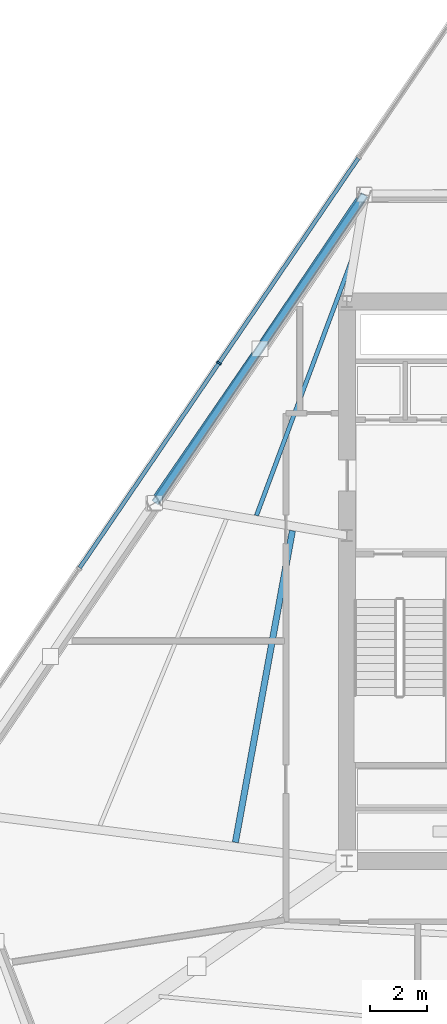
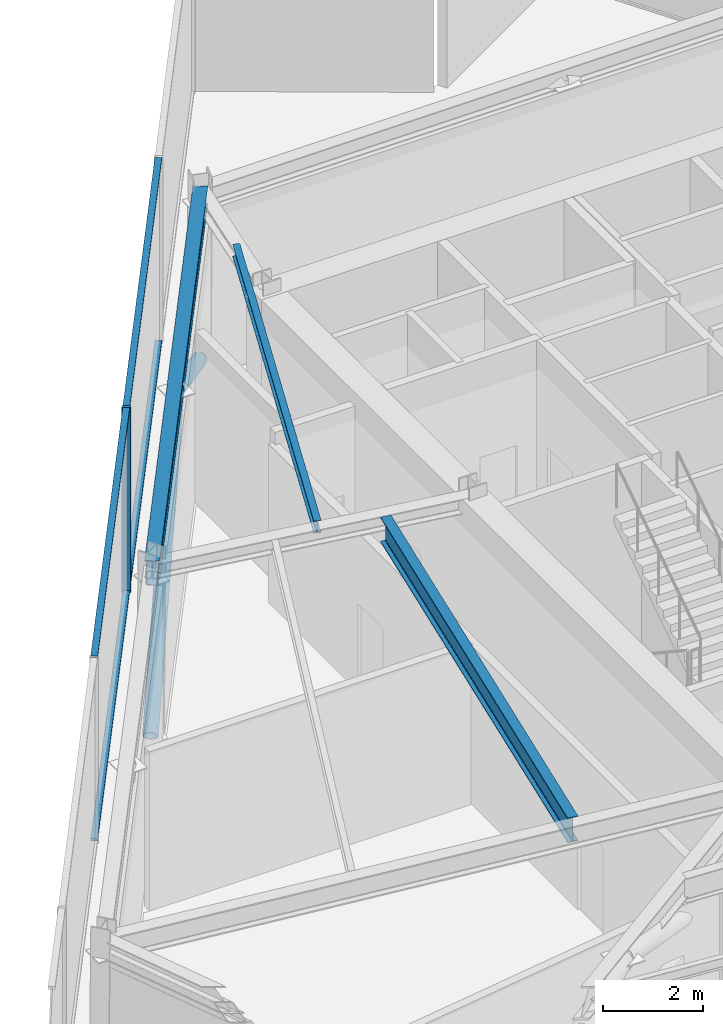
# One storey, part 4 of 14: 8 members, 3 beams, 1 element without a shape of its own.
"""IFC4 building model written with IfcOpenShell, lengths in metres."""

from ifc_helpers import new_model, si_unit, direction, frame, origin, origin_2d, place, context, subcontext, project, spatial, rectangle, hollow_rectangle, hollow_circle, i_section, extrude, material, material_profile, profile_set, type_object, element, aggregate, save


model = new_model("IFC4")

# Units and contexts
model_context = context("Model", 3, precision=1e-05, world=origin(), true_north=direction((0.0, 1.0)))
body_context = subcontext(model_context, "Body", "Model", "MODEL_VIEW")
ifc_project = project(units=[si_unit("LENGTHUNIT", "METRE"), si_unit("AREAUNIT", "SQUARE_METRE"), si_unit("VOLUMEUNIT", "CUBIC_METRE"), si_unit("PLANEANGLEUNIT", "RADIAN"), si_unit("MASSUNIT", "GRAM", prefix="KILO")], contexts=[model_context])

# Site, building, storey
site_placement = place(None, origin())
site = spatial("IfcSite", under=ifc_project, at=site_placement, CompositionType="ELEMENT")
building_placement = place(site_placement, origin())
building = spatial("IfcBuilding", under=site, at=building_placement, Name="Savorim Split Tower", CompositionType="ELEMENT")
storey_placement = place(building_placement, frame((0.0, 0.0, 129.300048828125)))
storey = spatial("IfcBuildingStorey", under=building, at=storey_placement, Name="L34", CompositionType="ELEMENT", Elevation=129.300048828125)

# Beams
ifc_material_1 = material(Name="Steel S355", Category="steel")
ifc_material_profile_1 = material_profile(ifc_material_1, i_section(OverallWidth=0.14990234375, OverallDepth=0.300048828125, WebThickness=0.007080078125, FlangeThickness=0.0107421875, FilletRadius=0.014892578125, at=origin_2d()), Name="IPE 300")
ifc_profile_set_1 = profile_set([ifc_material_profile_1], Name="Steel S355")
beam_type_1 = type_object("IfcBeamType", Name="BM-JST-IPE300", PredefinedType="JOIST", material=ifc_profile_set_1)
beam_1_placement = place(storey_placement, frame((-7.455078125, 11.843505859375, 4.349853515625), z_axis=(-0.349524300632, -0.936927298817, 0.0), x_axis=(0.936927298817, -0.349524300632, 0.0)))
element("IfcBeam", 1, at=beam_1_placement, inside=storey, type_object=beam_type_1, Name="L34 Secondary Floor Joist JS-09", PredefinedType="JOIST", context=body_context, shape_type="SweptSolid", body=[
    extrude(i_section(OverallWidth=0.14990234375, OverallDepth=0.300048828125, WebThickness=0.007080078125, FlangeThickness=0.0107421875, FilletRadius=0.014892578125, at=origin_2d()), origin(), (0.0, 0.0, 1.0), 9.75732421875),
])
ifc_material_profile_2 = material_profile(ifc_material_1, i_section(OverallWidth=0.219970703125, OverallDepth=0.60009765625, WebThickness=0.011962890625, FlangeThickness=0.01904296875, FilletRadius=0.02392578125, at=origin_2d()), Name="IPE 600")
ifc_profile_set_2 = profile_set([ifc_material_profile_2], Name="Steel S355")
beam_type_2 = type_object("IfcBeamType", Name="BM-JST-IPE600", PredefinedType="JOIST", material=ifc_profile_set_2)
beam_2_placement = place(storey_placement, frame((-9.60791015625, 2.16455078125, 4.199951171875), z_axis=(-0.180000711519, -0.983666479988, 0.0), x_axis=(0.983666479988, -0.180000711519, 0.0)))
element("IfcBeam", 2, at=beam_2_placement, inside=storey, type_object=beam_type_2, Name="L34 Secondary Floor Joist JS-11", PredefinedType="JOIST", context=body_context, shape_type="SweptSolid", body=[
    extrude(i_section(OverallWidth=0.219970703125, OverallDepth=0.60009765625, WebThickness=0.011962890625, FlangeThickness=0.01904296875, FilletRadius=0.02392578125, at=origin_2d()), origin(), (0.0, 0.0, 1.0), 11.0947265625),
])
ifc_material_profile_3 = material_profile(ifc_material_1, i_section(OverallWidth=0.300048828125, OverallDepth=0.43994140625, WebThickness=0.011474609375, FlangeThickness=0.02099609375, FilletRadius=0.027099609375, at=origin_2d()), Name="HEA 450")
ifc_profile_set_3 = profile_set([ifc_material_profile_3], Name="Steel S355")
beam_type_3 = type_object("IfcBeamType", Name="BM-SPN-HEA450", PredefinedType="SPANDREL", material=ifc_profile_set_3)
beam_3_placement = place(storey_placement, frame((-7.073486328125, 13.93603515625, 4.280029296875), z_axis=(-0.562475346632, -0.826814056745, 0.0), x_axis=(0.826814056745, -0.562475346632, 0.0)))
element("IfcBeam", 3, at=beam_3_placement, inside=storey, type_object=beam_type_3, Name="L34 Perimeter Spandrel Beam 8", PredefinedType="SPANDREL", context=body_context, shape_type="SweptSolid", body=[
    extrude(i_section(OverallWidth=0.300048828125, OverallDepth=0.43994140625, WebThickness=0.011474609375, FlangeThickness=0.02099609375, FilletRadius=0.027099609375, at=origin_2d()), origin(), (0.0, 0.0, 1.0), 13.045654296875),
])

# Curtain wall, members
ifc_material_2 = material(Name="Dark Ceramic-Fritted Insulated Glass", Category="glass")
curtain_wall_type = type_object("IfcCurtainWallType", Name="CW-REFUGE-LVR", PredefinedType="NOTDEFINED", material=ifc_material_2)
curtain_wall_placement = place(storey_placement, origin())
curtain_wall = element("IfcCurtainWall", 4, at=curtain_wall_placement, inside=storey, type_object=curtain_wall_type, Name="L34 Curtain Wall CW-L34-WEST", PredefinedType="NOTDEFINED")
ifc_material_3 = material(Name="Charcoal Anodised Aluminium", Category="aluminium")
ifc_material_profile_4 = material_profile(ifc_material_3, rectangle(XDim=0.179931640625, YDim=0.06494140625, at=origin_2d()), Name="ALU-M 180x65")
ifc_profile_set_4 = profile_set([ifc_material_profile_4], Name="Charcoal Anodised Aluminium")
member_type_1 = type_object("IfcMemberType", Name="CWM-180x65", PredefinedType="MULLION", material=ifc_profile_set_4)
member_1_placement = place(storey_placement, frame((-12.179443359375, 8.04052734375, 0.0), z_axis=(0.0, 0.0, 1.0), x_axis=(0.826819743155, -0.562466987768, 0.0)))
member_1 = element("IfcMember", 5, at=member_1_placement, type_object=member_type_1, Name="CW-06 mullion 3", PredefinedType="MULLION", context=body_context, shape_type="SweptSolid", body=[
    extrude(rectangle(XDim=0.179931640625, YDim=0.06494140625, at=origin_2d()), origin(), (0.0, 0.0, 1.0), 4.5),
])
ifc_material_profile_5 = material_profile(ifc_material_3, rectangle(XDim=0.139892578125, YDim=0.054931640625, at=origin_2d()), Name="ALU-T 140x55")
ifc_profile_set_5 = profile_set([ifc_material_profile_5], Name="Charcoal Anodised Aluminium")
member_type_2 = type_object("IfcMemberType", Name="CWT-140x55", PredefinedType="USERDEFINED", material=ifc_profile_set_5)
member_2_placement = place(storey_placement, frame((-7.29931640625, 15.214111328125, 0.02734375), z_axis=(-0.562471477065, -0.826816689169, 0.0), x_axis=(0.826816689169, -0.562471477065, 0.0)))
member_2 = element("IfcMember", 6, at=member_2_placement, type_object=member_type_2, Name="CW-06 transom 2.1", ObjectType="TRANSOM", PredefinedType="USERDEFINED", context=body_context, shape_type="SweptSolid", body=[
    extrude(rectangle(XDim=0.139892578125, YDim=0.054931640625, at=origin_2d()), origin(), (0.0, 0.0, 1.0), 8.6435546875),
])
member_3_placement = place(storey_placement, frame((-7.29931640625, 15.214111328125, 4.472412109375), z_axis=(-0.562471477065, -0.826816689169, 0.0), x_axis=(0.826816689169, -0.562471477065, 0.0)))
member_3 = element("IfcMember", 7, at=member_3_placement, type_object=member_type_2, Name="CW-06 transom 2.2", ObjectType="TRANSOM", PredefinedType="USERDEFINED", context=body_context, shape_type="SweptSolid", body=[
    extrude(rectangle(XDim=0.139892578125, YDim=0.054931640625, at=origin_2d()), origin(), (0.0, 0.0, 1.0), 8.6435546875),
])
member_4_placement = place(storey_placement, frame((-12.19775390625, 8.013671875, 0.02734375), z_axis=(-0.562458341645, -0.826825624853, 0.0), x_axis=(0.826825624853, -0.562458341645, 0.0)))
member_4 = element("IfcMember", 8, at=member_4_placement, type_object=member_type_2, Name="CW-06 transom 3.1", ObjectType="TRANSOM", PredefinedType="USERDEFINED", context=body_context, shape_type="SweptSolid", body=[
    extrude(rectangle(XDim=0.139892578125, YDim=0.054931640625, at=origin_2d()), origin(), (0.0, 0.0, 1.0), 8.643798828125),
])
member_5_placement = place(storey_placement, frame((-12.19775390625, 8.013671875, 4.472412109375), z_axis=(-0.562458341645, -0.826825624853, 0.0), x_axis=(0.826825624853, -0.562458341645, 0.0)))
member_5 = element("IfcMember", 9, at=member_5_placement, type_object=member_type_2, Name="CW-06 transom 3.2", ObjectType="TRANSOM", PredefinedType="USERDEFINED", context=body_context, shape_type="SweptSolid", body=[
    extrude(rectangle(XDim=0.139892578125, YDim=0.054931640625, at=origin_2d()), origin(), (0.0, 0.0, 1.0), 8.643798828125),
])
aggregate(curtain_wall, [member_1, member_2, member_3, member_4, member_5])

# Members
ifc_material_4 = material(Name="Steel S460", Category="steel")
ifc_material_profile_6 = material_profile(ifc_material_4, hollow_circle(Radius=0.161865234375, WallThickness=0.01611328125, at=origin_2d()), Name="CHS 323.9x16")
ifc_profile_set_6 = profile_set([ifc_material_profile_6], Name="Steel S460")
member_type_3 = type_object("IfcMemberType", Name="MBR-BLT-CHS324", PredefinedType="BRACE", material=ifc_profile_set_6)
member_6_placement = place(storey_placement, frame((-7.103271484375, 13.94482421875, 0.280029296875), z_axis=(-0.482591712594, -0.716376413832, 0.503894902376), x_axis=(0.829364974051, -0.558707204014, 0.0)))
element("IfcMember", 10, at=member_6_placement, inside=storey, type_object=member_type_3, Name="L34 Perimeter Belt Truss Brace 8A", PredefinedType="BRACE", context=body_context, shape_type="SweptSolid", body=[
    extrude(hollow_circle(Radius=0.161865234375, WallThickness=0.01611328125, at=origin_2d()), origin(), (0.0, 0.0, 1.0), 7.540771484375),
])
member_7_placement = place(storey_placement, frame((-14.468994140625, 3.1171875, 0.280029296875), z_axis=(0.490327677605, 0.71387264016, 0.499964620954), x_axis=(-0.824289681123, 0.56616828028, 0.0)))
element("IfcMember", 11, at=member_7_placement, inside=storey, type_object=member_type_3, Name="L34 Perimeter Belt Truss Brace 8B", PredefinedType="BRACE", context=body_context, shape_type="SweptSolid", body=[
    extrude(hollow_circle(Radius=0.161865234375, WallThickness=0.01611328125, at=origin_2d()), origin(), (0.0, 0.0, 1.0), 7.60009765625),
])
ifc_material_profile_7 = material_profile(ifc_material_4, hollow_rectangle(XDim=0.25, YDim=0.35009765625, WallThickness=0.01611328125, InnerFilletRadius=0.01611328125, OuterFilletRadius=0.031982421875, at=origin_2d()), Name="RHS 350x250x16")
ifc_profile_set_7 = profile_set([ifc_material_profile_7], Name="Steel S460")
member_type_4 = type_object("IfcMemberType", Name="MBR-CHD-RHS350", PredefinedType="CHORD", material=ifc_profile_set_7)
member_8_placement = place(storey_placement, frame((-7.078125, 13.9375, 4.079833984375), z_axis=(-0.56247064282, -0.826817256693, 0.0), x_axis=(0.826817256693, -0.56247064282, 0.0)))
element("IfcMember", 12, at=member_8_placement, inside=storey, type_object=member_type_4, Name="L34 Perimeter Belt Truss Chord 8", PredefinedType="CHORD", context=body_context, shape_type="SweptSolid", body=[
    extrude(hollow_rectangle(XDim=0.25, YDim=0.35009765625, WallThickness=0.01611328125, InnerFilletRadius=0.01611328125, OuterFilletRadius=0.031982421875, at=origin_2d()), origin(), (0.0, 0.0, 1.0), 13.0537109375),
])

save(model, "model.ifc")
